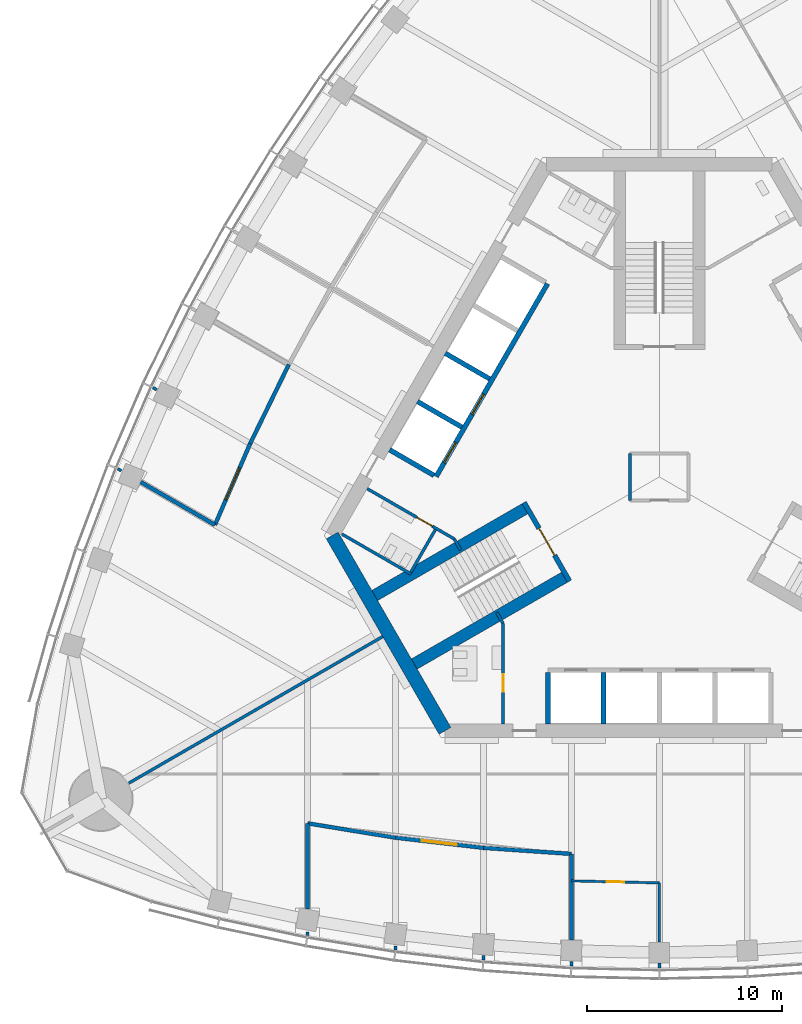
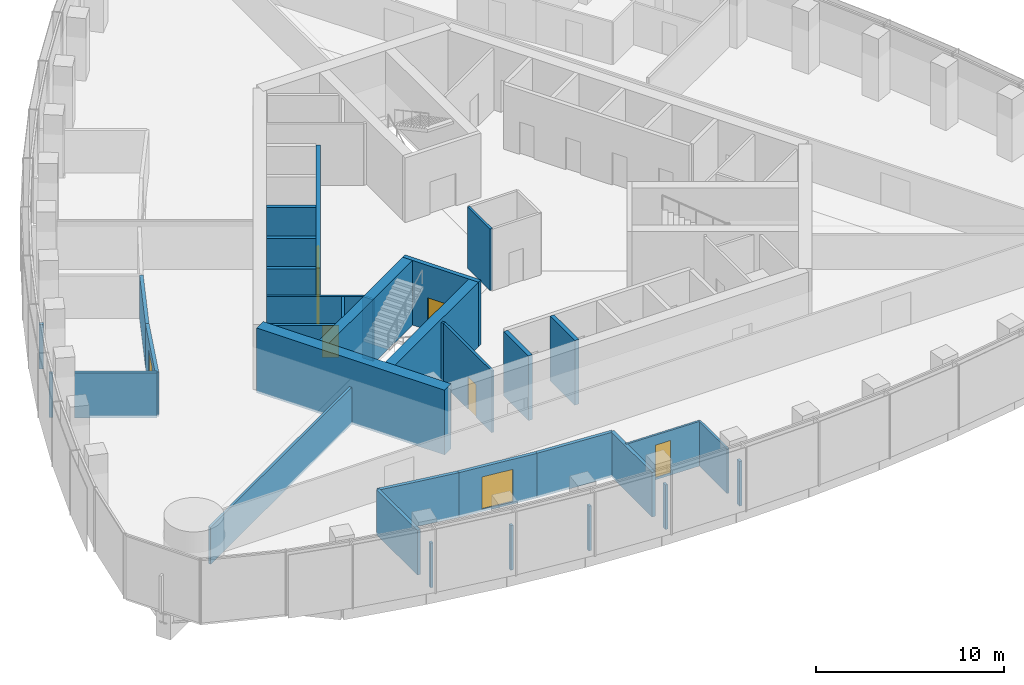
# One storey, part 11 of 19: 35 walls, 8 doors, 8 openings.
"""IFC4 building model written with IfcOpenShell, lengths in metres."""

from ifc_helpers import new_model, si_unit, direction, frame, frame_2d, origin, place, context, subcontext, project, spatial, rectangle, extrude, material, layer, layer_set, type_object, element, fill, save


model = new_model("IFC4")

# Units and contexts
model_context = context("Model", 3, precision=1e-05, world=origin(), true_north=direction((0.0, 1.0)))
body_context = subcontext(model_context, "Body", "Model", "MODEL_VIEW")
ifc_project = project(units=[si_unit("LENGTHUNIT", "METRE"), si_unit("AREAUNIT", "SQUARE_METRE"), si_unit("VOLUMEUNIT", "CUBIC_METRE"), si_unit("PLANEANGLEUNIT", "RADIAN"), si_unit("MASSUNIT", "GRAM", prefix="KILO")], contexts=[model_context])

# Site, building, storey
site_placement = place(None, origin())
site = spatial("IfcSite", under=ifc_project, at=site_placement, CompositionType="ELEMENT")
building_placement = place(site_placement, origin())
building = spatial("IfcBuilding", under=site, at=building_placement, Name="Trefoil Bronze Tower", CompositionType="ELEMENT")
storey_placement = place(building_placement, frame((0.0, 0.0, 227.5)))
storey = spatial("IfcBuildingStorey", under=building, at=storey_placement, Name="L52", CompositionType="ELEMENT", Elevation=227.5)

# Wall, opening, door
ifc_material_1 = material(Name="Gypsum board on steel studs", Category="steel")
ifc_layer_1 = layer(ifc_material_1, 0.199951171875)
ifc_layer_set_1 = layer_set([ifc_layer_1], Name="Acoustic partition 200")
wall_type_1 = type_object("IfcWallType", Name="Acoustic partition 200", PredefinedType="PARTITIONING", material=ifc_layer_set_1)
wall_1_placement = place(storey_placement, frame((-13.5, -18.466064453125, 0.0), z_axis=(0.0, 0.0, 1.0), x_axis=(0.993382946625, -0.114849124309, 0.0)))
wall_1 = element("IfcWall", 1, at=wall_1_placement, inside=storey, type_object=wall_type_1, Name="Partition F1 L52", PredefinedType="PARTITIONING", context=body_context, shape_type="SweptSolid", body=[
    extrude(rectangle(XDim=4.530029296875, YDim=0.199951171875, at=frame_2d((2.26513671875, 0.0))), origin(), (0.0, 0.0, 1.0), 2.89990234375),
])
opening_1_placement = place(wall_1_placement, frame((1.35009765625, 0.0, 0.14990234375)))
opening_1 = element("IfcOpeningElement", 2, at=opening_1_placement, cuts=wall_1, Name="Opening D10", PredefinedType="OPENING", context=body_context, shape_type="SweptSolid", body=[
    extrude(rectangle(XDim=1.800048828125, YDim=2.10009765625, at=frame_2d((0.89990234375, 1.050048828125))), frame((0.0, 0.10986328125, 0.0), z_axis=(0.0, -1.0, 0.0), x_axis=(1.0, 0.0, 0.0)), (0.0, 0.0, 1.0), 0.219970703125),
])
ifc_material_2 = material(Name="Timber door", Category="wood")
door_type_1 = type_object("IfcDoorType", Name="Double door 1800", OperationType="DOUBLE_DOOR_SINGLE_SWING", PredefinedType="DOOR", material=ifc_material_2)
door_1_placement = place(opening_1_placement, origin())
door_1 = element("IfcDoor", 3, at=door_1_placement, inside=storey, type_object=door_type_1, Name="Training room door F1 L52", OperationType="DOUBLE_DOOR_SINGLE_SWING", OverallHeight=2.10009765625, OverallWidth=1.800048828125, PredefinedType="DOOR", context=body_context, shape_type="SweptSolid", body=[
    extrude(rectangle(XDim=1.800048828125, YDim=2.10009765625, at=frame_2d((0.89990234375, 1.050048828125))), frame((0.0, 0.02490234375, 0.0), z_axis=(0.0, -1.0, 0.0), x_axis=(1.0, 0.0, 0.0)), (0.0, 0.0, 1.0), 0.050048828125),
])
fill(opening_1, door_1)

# Walls
wall_2_placement = place(storey_placement, frame((-18.0, -17.73291015625, 0.0), z_axis=(0.0, 0.0, 1.0), x_axis=(0.986986525477, -0.160802980469, 0.0)))
element("IfcWall", 4, at=wall_2_placement, inside=storey, type_object=wall_type_1, Name="Partition F1 L52", PredefinedType="PARTITIONING", context=body_context, shape_type="SweptSolid", body=[
    extrude(rectangle(XDim=4.559326171875, YDim=0.199951171875, at=frame_2d((2.27978515625, 0.0))), origin(), (0.0, 0.0, 1.0), 2.89990234375),
])
wall_3_placement = place(storey_placement, frame((-9.0, -18.986328125, 0.0), z_axis=(0.0, 0.0, 1.0), x_axis=(0.997623533978, -0.068900540297, 0.0)))
element("IfcWall", 5, at=wall_3_placement, inside=storey, type_object=wall_type_1, Name="Partition F1 L52", PredefinedType="PARTITIONING", context=body_context, shape_type="SweptSolid", body=[
    extrude(rectangle(XDim=4.5107421875, YDim=0.199951171875, at=frame_2d((2.25537109375, 0.0))), origin(), (0.0, 0.0, 1.0), 2.89990234375),
])
wall_4_placement = place(storey_placement, frame((-18.0, -17.73291015625, 0.0), z_axis=(0.0, 0.0, 1.0), x_axis=(0.0, -1.0, 0.0)))
element("IfcWall", 6, at=wall_4_placement, inside=storey, type_object=wall_type_1, Name="Partition F1 L52", PredefinedType="PARTITIONING", context=body_context, shape_type="SweptSolid", body=[
    extrude(rectangle(XDim=4.37158203125, YDim=0.199951171875, at=frame_2d((2.185791015625, 0.0))), origin(), (0.0, 0.0, 1.0), 2.89990234375),
])
wall_5_placement = place(storey_placement, frame((-4.5, -19.297119140625, 0.0), z_axis=(0.0, 0.0, 1.0), x_axis=(0.0, -1.0, 0.0)))
element("IfcWall", 7, at=wall_5_placement, inside=storey, type_object=wall_type_1, Name="Partition F1 L52", PredefinedType="PARTITIONING", context=body_context, shape_type="SweptSolid", body=[
    extrude(rectangle(XDim=4.393798828125, YDim=0.199951171875, at=frame_2d((2.19677734375, 0.0))), origin(), (0.0, 0.0, 1.0), 2.89990234375),
])
wall_6_placement = place(storey_placement, frame((-18.9619140625, 5.75146484375, 0.0), z_axis=(0.0, 0.0, 1.0), x_axis=(-0.43911984878, -0.898428493764, 0.0)))
element("IfcWall", 8, at=wall_6_placement, inside=storey, type_object=wall_type_1, Name="Partition F3 L52", PredefinedType="PARTITIONING", context=body_context, shape_type="SweptSolid", body=[
    extrude(rectangle(XDim=4.5107421875, YDim=0.199951171875, at=frame_2d((2.25537109375, 0.0))), origin(), (0.0, 0.0, 1.0), 2.89990234375),
])

# Wall, opening, door
wall_7_placement = place(storey_placement, frame((-20.942626953125, 1.698974609375, 0.0), z_axis=(0.0, 0.0, 1.0), x_axis=(-0.397253491631, -0.917708920839, 0.0)))
wall_7 = element("IfcWall", 9, at=wall_7_placement, inside=storey, type_object=wall_type_1, Name="Partition F3 L52", PredefinedType="PARTITIONING", context=body_context, shape_type="SweptSolid", body=[
    extrude(rectangle(XDim=4.530029296875, YDim=0.199951171875, at=frame_2d((2.26513671875, 0.0))), origin(), (0.0, 0.0, 1.0), 2.89990234375),
])
opening_2_placement = place(wall_7_placement, frame((1.35009765625, 0.0, 0.14990234375)))
opening_2 = element("IfcOpeningElement", 10, at=opening_2_placement, cuts=wall_7, Name="Opening D10", PredefinedType="OPENING", context=body_context, shape_type="SweptSolid", body=[
    extrude(rectangle(XDim=1.800048828125, YDim=2.10009765625, at=frame_2d((0.89990234375, 1.050048828125))), frame((0.0, 0.10986328125, 0.0), z_axis=(0.0, -1.0, 0.0), x_axis=(1.0, 0.0, 0.0)), (0.0, 0.0, 1.0), 0.219970703125),
])
door_2_placement = place(opening_2_placement, frame((1.800048828125, 0.0, 0.0), z_axis=(0.0, 0.0, 1.0), x_axis=(-1.0, 0.0, 0.0)))
door_2 = element("IfcDoor", 11, at=door_2_placement, inside=storey, type_object=door_type_1, Name="Training room door F3 L52", OperationType="DOUBLE_DOOR_SINGLE_SWING", OverallHeight=2.10009765625, OverallWidth=1.800048828125, PredefinedType="DOOR", context=body_context, shape_type="SweptSolid", body=[
    extrude(rectangle(XDim=1.800048828125, YDim=2.10009765625, at=frame_2d((0.89990234375, 1.050048828125))), frame((0.0, 0.02490234375, 0.0), z_axis=(0.0, -1.0, 0.0), x_axis=(1.0, 0.0, 0.0)), (0.0, 0.0, 1.0), 0.050048828125),
])
fill(opening_2, door_2)

# Walls
wall_8_placement = place(storey_placement, frame((-22.7421875, -2.458251953125, 0.0), z_axis=(0.0, 0.0, 1.0), x_axis=(-0.866033427365, 0.499986102494, 0.0)))
element("IfcWall", 12, at=wall_8_placement, inside=storey, type_object=wall_type_1, Name="Partition F3 L52", PredefinedType="PARTITIONING", context=body_context, shape_type="SweptSolid", body=[
    extrude(rectangle(XDim=4.3818359375, YDim=0.199951171875, at=frame_2d((2.19091796875, 0.0))), origin(), (0.0, 0.0, 1.0), 2.89990234375),
])
ifc_material_3 = material(Name="Concrete B80", Category="concrete")
ifc_layer_2 = layer(ifc_material_3, 0.699951171875)
ifc_layer_set_2 = layer_set([ifc_layer_2], Name="Core wall 700")
wall_type_2 = type_object("IfcWallType", Name="Core wall 700", PredefinedType="SHEAR", material=ifc_layer_set_2)
wall_9_placement = place(storey_placement, frame((-16.7431640625, -3.0, 0.0), z_axis=(0.0, 0.0, 1.0), x_axis=(0.499995765644, -0.866027848477, 0.0)))
element("IfcWall", 13, at=wall_9_placement, inside=storey, type_object=wall_type_2, Name="Core short wall 3 L52", PredefinedType="SHEAR", context=body_context, shape_type="SweptSolid", body=[
    extrude(rectangle(XDim=11.546875, YDim=0.699951171875, at=frame_2d((5.7734375, 0.0))), origin(), (0.0, 0.0, 1.0), 4.199951171875),
])

# Wall, opening, door
ifc_material_4 = material(Name="Glazed partition", Category="glass")
ifc_layer_3 = layer(ifc_material_4, 0.1201171875)
ifc_layer_set_3 = layer_set([ifc_layer_3], Name="Glazed partition 120")
wall_type_3 = type_object("IfcWallType", Name="Glazed partition 120", PredefinedType="PARTITIONING", material=ifc_layer_set_3)
wall_10_placement = place(storey_placement, frame((-4.5, -20.67724609375, 0.0), z_axis=(0.0, 0.0, 1.0), x_axis=(0.99973677065, -0.022943177842, 0.0)))
wall_10 = element("IfcWall", 14, at=wall_10_placement, inside=storey, type_object=wall_type_3, Name="Partition F1 L52", PredefinedType="PARTITIONING", context=body_context, shape_type="SweptSolid", body=[
    extrude(rectangle(XDim=4.501220703125, YDim=0.1201171875, at=frame_2d((2.25048828125, 0.0))), origin(), (0.0, 0.0, 1.0), 2.89990234375),
])
opening_3_placement = place(wall_10_placement, frame((1.800048828125, 0.0, 0.14990234375)))
opening_3 = element("IfcOpeningElement", 15, at=opening_3_placement, cuts=wall_10, Name="Opening D8", PredefinedType="OPENING", context=body_context, shape_type="SweptSolid", body=[
    extrude(rectangle(XDim=0.89990234375, YDim=2.10009765625, at=frame_2d((0.449951171875, 1.050048828125))), frame((0.0, 0.070068359375, 0.0), z_axis=(0.0, -1.0, 0.0), x_axis=(1.0, 0.0, 0.0)), (0.0, 0.0, 1.0), 0.14013671875),
])
ifc_material_5 = material(Name="Timber door", Category="wood")
door_type_2 = type_object("IfcDoorType", Name="Office door 900", OperationType="SINGLE_SWING_LEFT", PredefinedType="DOOR", material=ifc_material_5)
door_3_placement = place(opening_3_placement, frame((0.89990234375, 0.0, 0.0), z_axis=(0.0, 0.0, 1.0), x_axis=(-1.0, 0.0, 0.0)))
door_3 = element("IfcDoor", 16, at=door_3_placement, inside=storey, type_object=door_type_2, Name="Pantry door F1 L52", OperationType="SINGLE_SWING_RIGHT", OverallHeight=2.10009765625, OverallWidth=0.89990234375, PredefinedType="DOOR", context=body_context, shape_type="SweptSolid", body=[
    extrude(rectangle(XDim=0.89990234375, YDim=2.10009765625, at=frame_2d((0.449951171875, 1.050048828125))), frame((0.0, 0.02490234375, 0.0), z_axis=(0.0, -1.0, 0.0), x_axis=(1.0, 0.0, 0.0)), (0.0, 0.0, 1.0), 0.050048828125),
])
fill(opening_3, door_3)

# Wall
wall_11_placement = place(storey_placement, frame((0.0, -20.780517578125, 0.0), z_axis=(0.0, 0.0, 1.0), x_axis=(0.0, -1.0, 0.0)))
element("IfcWall", 17, at=wall_11_placement, inside=storey, type_object=wall_type_3, Name="Partition F1 L52", PredefinedType="PARTITIONING", context=body_context, shape_type="SweptSolid", body=[
    extrude(rectangle(XDim=3.01513671875, YDim=0.1201171875, at=frame_2d((1.507568359375, 0.0))), origin(), (0.0, 0.0, 1.0), 2.89990234375),
])

# Wall, opening, door
ifc_material_6 = material(Name="Gypsum board on steel studs", Category="steel")
ifc_layer_4 = layer(ifc_material_6, 0.14990234375)
ifc_layer_set_4 = layer_set([ifc_layer_4], Name="Partition 150")
wall_type_4 = type_object("IfcWallType", Name="Partition 150", PredefinedType="PARTITIONING", material=ifc_layer_set_4)
wall_12_placement = place(storey_placement, frame((-8.0, -7.5, 0.0), z_axis=(0.0, 0.0, 1.0), x_axis=(0.0, -1.0, 0.0)))
wall_12 = element("IfcWall", 18, at=wall_12_placement, inside=storey, type_object=wall_type_4, Name="Passage wall F1- L52", PredefinedType="PARTITIONING", context=body_context, shape_type="SweptSolid", body=[
    extrude(rectangle(XDim=5.14990234375, YDim=0.14990234375, at=frame_2d((2.574951171875, 0.0))), origin(), (0.0, 0.0, 1.0), 4.0),
])
opening_4_placement = place(wall_12_placement, frame((2.60009765625, 0.0, 0.0)))
opening_4 = element("IfcOpeningElement", 19, at=opening_4_placement, cuts=wall_12, Name="Opening D3", PredefinedType="OPENING", context=body_context, shape_type="SweptSolid", body=[
    extrude(rectangle(XDim=0.89990234375, YDim=2.10009765625, at=frame_2d((0.449951171875, 1.050048828125))), frame((0.0, 0.0849609375, 0.0), z_axis=(0.0, -1.0, 0.0), x_axis=(1.0, 0.0, 0.0)), (0.0, 0.0, 1.0), 0.169921875),
])
ifc_material_7 = material(Name="Timber door", Category="wood")
door_type_3 = type_object("IfcDoorType", Name="WC door 900", OperationType="SINGLE_SWING_LEFT", PredefinedType="DOOR", material=ifc_material_7)
door_4_placement = place(opening_4_placement, frame((0.89990234375, 0.0, 0.0), z_axis=(0.0, 0.0, 1.0), x_axis=(-1.0, 0.0, 0.0)))
door_4 = element("IfcDoor", 20, at=door_4_placement, inside=storey, type_object=door_type_3, Name="WC (women) door L52", OperationType="SINGLE_SWING_LEFT", OverallHeight=2.10009765625, OverallWidth=0.89990234375, PredefinedType="DOOR", context=body_context, shape_type="SweptSolid", body=[
    extrude(rectangle(XDim=0.89990234375, YDim=2.10009765625, at=frame_2d((0.449951171875, 1.050048828125))), frame((0.0, 0.02490234375, 0.0), z_axis=(0.0, -1.0, 0.0), x_axis=(1.0, 0.0, 0.0)), (0.0, 0.0, 1.0), 0.050048828125),
])
fill(opening_4, door_4)

wall_13_placement = place(storey_placement, frame((-10.4951171875, -3.17822265625, 0.0), z_axis=(0.0, 0.0, 1.0), x_axis=(-0.866037967349, 0.499978238636, 0.0)))
wall_13 = element("IfcWall", 21, at=wall_13_placement, inside=storey, type_object=wall_type_4, Name="Passage wall F3+ L52", PredefinedType="PARTITIONING", context=body_context, shape_type="SweptSolid", body=[
    extrude(rectangle(XDim=5.150146484375, YDim=0.14990234375, at=frame_2d((2.5751953125, 0.0))), origin(), (0.0, 0.0, 1.0), 4.0),
])
opening_5_placement = place(wall_13_placement, frame((1.300048828125, 0.0, 0.0)))
opening_5 = element("IfcOpeningElement", 22, at=opening_5_placement, cuts=wall_13, Name="Opening D3", PredefinedType="OPENING", context=body_context, shape_type="SweptSolid", body=[
    extrude(rectangle(XDim=0.89990234375, YDim=2.10009765625, at=frame_2d((0.449951171875, 1.050048828125))), frame((0.0, 0.0849609375, 0.0), z_axis=(0.0, -1.0, 0.0), x_axis=(1.0, 0.0, 0.0)), (0.0, 0.0, 1.0), 0.169921875),
])
door_5_placement = place(opening_5_placement, origin())
door_5 = element("IfcDoor", 23, at=door_5_placement, inside=storey, type_object=door_type_3, Name="WC (men) door L52", OperationType="SINGLE_SWING_LEFT", OverallHeight=2.10009765625, OverallWidth=0.89990234375, PredefinedType="DOOR", context=body_context, shape_type="SweptSolid", body=[
    extrude(rectangle(XDim=0.89990234375, YDim=2.10009765625, at=frame_2d((0.449951171875, 1.050048828125))), frame((0.0, 0.02490234375, 0.0), z_axis=(0.0, -1.0, 0.0), x_axis=(1.0, 0.0, 0.0)), (0.0, 0.0, 1.0), 0.050048828125),
])
fill(opening_5, door_5)

# Walls
for number, where, z_axis, x_axis, name in (
    (24, (-10.4951171875, -3.17822265625, 0.0), (0.0, 0.0, 1.0), (0.499842556608, -0.866116284689, 0.0), "WC wall ST3-1 L52"),
    (25, (-8.0, -7.5, 0.0), (0.0, 0.0, 1.0), (-0.499842556608, 0.866116284689, 0.0), "WC wall ST3+1 L52"),
):
    element("IfcWall", number, at=place(storey_placement, frame(where, z_axis=z_axis, x_axis=x_axis)), inside=storey, type_object=wall_type_4, Name=name, PredefinedType="PARTITIONING", context=body_context, shape_type="SweptSolid", body=[
        extrude(rectangle(XDim=0.645263671875, YDim=0.14990234375, at=frame_2d((0.32275390625, 0.0))), origin(), (0.0, 0.0, 1.0), 4.0),
    ])
wall_14_placement = place(storey_placement, frame((-12.691162109375, -4.98193359375, 0.0), z_axis=(0.0, 0.0, 1.0), x_axis=(-0.8660249478, 0.500000789788, 0.0)))
element("IfcWall", 26, at=wall_14_placement, inside=storey, type_object=wall_type_4, Name="WC partition WC (men) L52", PredefinedType="PARTITIONING", context=body_context, shape_type="SweptSolid", body=[
    extrude(rectangle(XDim=4.10009765625, YDim=0.14990234375, at=frame_2d((2.050048828125, 0.0))), origin(), (0.0, 0.0, 1.0), 4.0),
])
wall_15_placement = place(storey_placement, frame((-11.463623046875, -2.70556640625, 0.0), z_axis=(0.0, 0.0, 1.0), x_axis=(-0.50001992892, -0.866013897511, 0.0)))
element("IfcWall", 27, at=wall_15_placement, inside=storey, type_object=wall_type_4, Name="WC partition WC (men) L52", PredefinedType="PARTITIONING", context=body_context, shape_type="SweptSolid", body=[
    extrude(rectangle(XDim=2.51025390625, YDim=0.14990234375, at=frame_2d((1.255126953125, 0.0))), origin(), (0.0, 0.0, 1.0), 4.0),
])
wall_16_placement = place(storey_placement, frame((0.0, -24.879638671875, 0.0), z_axis=(0.0, 0.0, 1.0), x_axis=(0.0, -1.0, 0.0)))
element("IfcWall", 28, at=wall_16_placement, inside=storey, type_object=wall_type_4, Name="Partition F1 L52", PredefinedType="PARTITIONING", context=body_context, shape_type="SweptSolid", body=[
    extrude(rectangle(XDim=0.26611328125, YDim=0.14990234375, at=frame_2d((0.133056640625, 0.0))), origin(), (0.0, 0.0, 1.0), 2.89990234375),
])
wall_17_placement = place(storey_placement, frame((-13.5, -24.0048828125, 0.0), z_axis=(0.0, 0.0, 1.0), x_axis=(0.0, -1.0, 0.0)))
element("IfcWall", 29, at=wall_17_placement, inside=storey, type_object=wall_type_4, Name="Partition F1 L52", PredefinedType="PARTITIONING", context=body_context, shape_type="SweptSolid", body=[
    extrude(rectangle(XDim=0.206298828125, YDim=0.14990234375, at=frame_2d((0.10302734375, 0.0))), origin(), (0.0, 0.0, 1.0), 2.89990234375),
])
wall_18_placement = place(storey_placement, frame((-18.0, -23.285888671875, 0.0), z_axis=(0.0, 0.0, 1.0), x_axis=(0.0, -1.0, 0.0)))
element("IfcWall", 30, at=wall_18_placement, inside=storey, type_object=wall_type_4, Name="Partition F1 L52", PredefinedType="PARTITIONING", context=body_context, shape_type="SweptSolid", body=[
    extrude(rectangle(XDim=0.192138671875, YDim=0.14990234375, at=frame_2d((0.09619140625, 0.0))), origin(), (0.0, 0.0, 1.0), 2.89990234375),
])
wall_19_placement = place(storey_placement, frame((-4.5, -24.799072265625, 0.0), z_axis=(0.0, 0.0, 1.0), x_axis=(0.0, -1.0, 0.0)))
element("IfcWall", 31, at=wall_19_placement, inside=storey, type_object=wall_type_4, Name="Partition F1 L52", PredefinedType="PARTITIONING", context=body_context, shape_type="SweptSolid", body=[
    extrude(rectangle(XDim=0.2431640625, YDim=0.14990234375, at=frame_2d((0.12158203125, 0.0))), origin(), (0.0, 0.0, 1.0), 2.89990234375),
])
wall_20_placement = place(storey_placement, frame((-9.0, -24.508056640625, 0.0), z_axis=(0.0, 0.0, 1.0), x_axis=(0.0, -1.0, 0.0)))
element("IfcWall", 32, at=wall_20_placement, inside=storey, type_object=wall_type_4, Name="Partition F1 L52", PredefinedType="PARTITIONING", context=body_context, shape_type="SweptSolid", body=[
    extrude(rectangle(XDim=0.223388671875, YDim=0.14990234375, at=frame_2d((0.11181640625, 0.0))), origin(), (0.0, 0.0, 1.0), 2.89990234375),
])
wall_21_placement = place(storey_placement, frame((-27.538818359375, 0.31103515625, 0.0), z_axis=(0.0, 0.0, 1.0), x_axis=(-0.865534352121, 0.500849563539, 0.0)))
element("IfcWall", 33, at=wall_21_placement, inside=storey, type_object=wall_type_4, Name="Partition F3 L52", PredefinedType="PARTITIONING", context=body_context, shape_type="SweptSolid", body=[
    extrude(rectangle(XDim=0.206298828125, YDim=0.14990234375, at=frame_2d((0.10302734375, 0.0))), origin(), (0.0, 0.0, 1.0), 2.89990234375),
])
wall_22_placement = place(storey_placement, frame((-25.724609375, 4.459716796875, 0.0), z_axis=(0.0, 0.0, 1.0), x_axis=(-0.865675623716, 0.500605348058, 0.0)))
element("IfcWall", 34, at=wall_22_placement, inside=storey, type_object=wall_type_4, Name="Partition F3 L52", PredefinedType="PARTITIONING", context=body_context, shape_type="SweptSolid", body=[
    extrude(rectangle(XDim=0.223388671875, YDim=0.14990234375, at=frame_2d((0.11181640625, 0.0))), origin(), (0.0, 0.0, 1.0), 2.89990234375),
])
ifc_material_8 = material(Name="Gypsum board on steel studs", Category="steel")
ifc_layer_5 = layer(ifc_material_8, 0.14990234375)
ifc_layer_set_5 = layer_set([ifc_layer_5], Name="Party wall 150")
wall_type_5 = type_object("IfcWallType", Name="Party wall 150", PredefinedType="PARTITIONING", material=ifc_layer_set_5)
wall_23_placement = place(storey_placement, frame((-14.159423828125, -8.175048828125, 0.0), z_axis=(0.0, 0.0, 1.0), x_axis=(-0.866027028085, -0.499997186618, 0.0)))
element("IfcWall", 35, at=wall_23_placement, inside=storey, type_object=wall_type_5, Name="Party wall K3 L52", PredefinedType="PARTITIONING", context=body_context, shape_type="SweptSolid", body=[
    extrude(rectangle(XDim=15.0, YDim=0.14990234375, at=frame_2d((7.5, 0.0))), origin(), (0.0, 0.0, 1.0), 2.39990234375),
])
ifc_material_9 = material(Name="Gypsum board on steel studs", Category="steel")
ifc_layer_6 = layer(ifc_material_9, 0.14990234375)
ifc_layer_set_6 = layer_set([ifc_layer_6], Name="Riser wall 150")
wall_type_6 = type_object("IfcWallType", Name="Riser wall 150", PredefinedType="PARTITIONING", material=ifc_layer_set_6)
wall_24_placement = place(storey_placement, frame((-1.5, 1.199951171875, 0.0), z_axis=(0.0, 0.0, 1.0), x_axis=(0.0, -1.0, 0.0)))
element("IfcWall", 36, at=wall_24_placement, inside=storey, type_object=wall_type_6, Name="Riser wall L52", PredefinedType="PARTITIONING", context=body_context, shape_type="SweptSolid", body=[
    extrude(rectangle(XDim=2.39990234375, YDim=0.14990234375, at=frame_2d((1.199951171875, 0.0))), origin(), (0.0, 0.0, 1.0), 4.0),
])
ifc_material_10 = material(Name="Concrete B80", Category="concrete")
ifc_layer_7 = layer(ifc_material_10, 0.25)
ifc_layer_set_7 = layer_set([ifc_layer_7], Name="Shaft wall 250")
wall_type_7 = type_object("IfcWallType", Name="Shaft wall 250", PredefinedType="SHEAR", material=ifc_layer_set_7)
for number, where, z_axis, x_axis, name in (
    (37, (-5.699951171875, -10.02490234375, 0.0), (0.0, 0.0, 1.0), (0.0, -1.0, 0.0), "Lift shaft side wall A0 L52"),
    (38, (-2.85009765625, -10.02490234375, 0.0), (0.0, 0.0, 1.0), (0.0, -1.0, 0.0), "Lift shaft side wall A1 L52"),
):
    element("IfcWall", number, at=place(storey_placement, frame(where, z_axis=z_axis, x_axis=x_axis)), inside=storey, type_object=wall_type_7, Name=name, PredefinedType="SHEAR", context=body_context, shape_type="SweptSolid", body=[
        extrude(rectangle(XDim=2.625, YDim=0.25, at=frame_2d((1.3125, 0.0))), origin(), (0.0, 0.0, 1.0), 4.199951171875),
    ])

# Wall, openings, doors
wall_25_placement = place(storey_placement, frame((-5.7236328125, 9.88623046875, 0.0), z_axis=(0.0, 0.0, 1.0), x_axis=(-0.500001763848, -0.866024385424, 0.0)))
wall_25 = element("IfcWall", 39, at=wall_25_placement, inside=storey, type_object=wall_type_7, Name="Lift shaft front wall C L52", PredefinedType="SHEAR", context=body_context, shape_type="SweptSolid", body=[
    extrude(rectangle(XDim=11.39990234375, YDim=0.25, at=frame_2d((5.699951171875, 0.0))), origin(), (0.0, 0.0, 1.0), 4.199951171875),
])
opening_6_placement = place(wall_25_placement, frame((6.52490234375, 0.0, 0.0)))
opening_6 = element("IfcOpeningElement", 40, at=opening_6_placement, cuts=wall_25, Name="Opening LD-FL1", PredefinedType="OPENING", context=body_context, shape_type="SweptSolid", body=[
    extrude(rectangle(XDim=1.199951171875, YDim=2.199951171875, at=frame_2d((0.60009765625, 1.10009765625))), frame((0.0, 0.135009765625, 0.0), z_axis=(0.0, -1.0, 0.0), x_axis=(1.0, 0.0, 0.0)), (0.0, 0.0, 1.0), 0.27001953125),
])
opening_7_placement = place(wall_25_placement, frame((9.375, 0.0, 0.0)))
opening_7 = element("IfcOpeningElement", 41, at=opening_7_placement, cuts=wall_25, Name="Opening LD-FL2", PredefinedType="OPENING", context=body_context, shape_type="SweptSolid", body=[
    extrude(rectangle(XDim=1.199951171875, YDim=2.199951171875, at=frame_2d((0.60009765625, 1.10009765625))), frame((0.0, 0.135009765625, 0.0), z_axis=(0.0, -1.0, 0.0), x_axis=(1.0, 0.0, 0.0)), (0.0, 0.0, 1.0), 0.27001953125),
])
ifc_material_11 = material(Name="Steel door", Category="steel")
door_type_4 = type_object("IfcDoorType", Name="Lift landing door 1200", OperationType="DOUBLE_DOOR_SLIDING", PredefinedType="DOOR", material=ifc_material_11)
door_6_placement = place(opening_6_placement, origin())
door_6 = element("IfcDoor", 42, at=door_6_placement, inside=storey, type_object=door_type_4, Name="Lift FL1 landing door L52", OperationType="DOUBLE_DOOR_SLIDING", OverallHeight=2.199951171875, OverallWidth=1.199951171875, PredefinedType="DOOR", context=body_context, shape_type="SweptSolid", body=[
    extrude(rectangle(XDim=1.199951171875, YDim=2.199951171875, at=frame_2d((0.60009765625, 1.10009765625))), frame((0.0, 0.02490234375, 0.0), z_axis=(0.0, -1.0, 0.0), x_axis=(1.0, 0.0, 0.0)), (0.0, 0.0, 1.0), 0.050048828125),
])
fill(opening_6, door_6)
door_7_placement = place(opening_7_placement, origin())
door_7 = element("IfcDoor", 43, at=door_7_placement, inside=storey, type_object=door_type_4, Name="Lift FL2 landing door L52", OperationType="DOUBLE_DOOR_SLIDING", OverallHeight=2.199951171875, OverallWidth=1.199951171875, PredefinedType="DOOR", context=body_context, shape_type="SweptSolid", body=[
    extrude(rectangle(XDim=1.199951171875, YDim=2.199951171875, at=frame_2d((0.60009765625, 1.10009765625))), frame((0.0, 0.02490234375, 0.0), z_axis=(0.0, -1.0, 0.0), x_axis=(1.0, 0.0, 0.0)), (0.0, 0.0, 1.0), 0.050048828125),
])
fill(opening_7, door_7)

# Walls
for number, where, z_axis, x_axis, name in (
    (44, (-8.681884765625, 5.012451171875, 0.0), (0.0, 0.0, 1.0), (-0.866036909293, 0.499980071345, 0.0), "Lift shaft side wall C2 L52"),
    (45, (-10.10693359375, 2.54443359375, 0.0), (0.0, 0.0, 1.0), (-0.866013657776, 0.500020344131, 0.0), "Lift shaft side wall C3 L52"),
    (46, (-11.531982421875, 0.076171875, 0.0), (0.0, 0.0, 1.0), (-0.866013657776, 0.500020344131, 0.0), "Lift shaft side wall C4 L52"),
):
    element("IfcWall", number, at=place(storey_placement, frame(where, z_axis=z_axis, x_axis=x_axis)), inside=storey, type_object=wall_type_7, Name=name, PredefinedType="SHEAR", context=body_context, shape_type="SweptSolid", body=[
        extrude(rectangle(XDim=2.625, YDim=0.25, at=frame_2d((1.3125, 0.0))), origin(), (0.0, 0.0, 1.0), 4.199951171875),
    ])

# Wall, opening, door
wall_26_placement = place(storey_placement, frame((-6.921630859375, -1.3115234375, 0.0), z_axis=(0.0, 0.0, 1.0), x_axis=(0.499984536904, -0.866034331223, 0.0)))
wall_26 = element("IfcWall", 47, at=wall_26_placement, inside=storey, type_object=wall_type_7, Name="Stair end wall ST3 L52", PredefinedType="SHEAR", context=body_context, shape_type="SweptSolid", body=[
    extrude(rectangle(XDim=4.650146484375, YDim=0.25, at=frame_2d((2.3251953125, 0.0))), origin(), (0.0, 0.0, 1.0), 4.199951171875),
])
opening_8_placement = place(wall_26_placement, frame((1.52490234375, 0.0, 0.0)))
opening_8 = element("IfcOpeningElement", 48, at=opening_8_placement, cuts=wall_26, Name="Opening D1", PredefinedType="OPENING", context=body_context, shape_type="SweptSolid", body=[
    extrude(rectangle(XDim=1.60009765625, YDim=2.10009765625, at=frame_2d((0.800048828125, 1.050048828125))), frame((0.0, 0.135009765625, 0.0), z_axis=(0.0, -1.0, 0.0), x_axis=(1.0, 0.0, 0.0)), (0.0, 0.0, 1.0), 0.27001953125),
])
ifc_material_12 = material(Name="Steel door", Category="steel")
door_type_5 = type_object("IfcDoorType", Name="Stair door 1600", OperationType="DOUBLE_DOOR_SINGLE_SWING", PredefinedType="DOOR", material=ifc_material_12)
door_8_placement = place(opening_8_placement, frame((1.60009765625, 0.0, 0.0), z_axis=(0.0, 0.0, 1.0), x_axis=(-1.0, 0.0, 0.0)))
door_8 = element("IfcDoor", 49, at=door_8_placement, inside=storey, type_object=door_type_5, Name="Stair door ST3 L52", OperationType="DOUBLE_DOOR_SINGLE_SWING", OverallHeight=2.10009765625, OverallWidth=1.60009765625, PredefinedType="DOOR", context=body_context, shape_type="SweptSolid", body=[
    extrude(rectangle(XDim=1.60009765625, YDim=2.10009765625, at=frame_2d((0.800048828125, 1.050048828125))), frame((0.0, 0.02490234375, 0.0), z_axis=(0.0, -1.0, 0.0), x_axis=(1.0, 0.0, 0.0)), (0.0, 0.0, 1.0), 0.050048828125),
])
fill(opening_8, door_8)

# Walls
ifc_material_13 = material(Name="Concrete B80", Category="concrete")
ifc_layer_8 = layer(ifc_material_13, 0.60009765625)
ifc_layer_set_8 = layer_set([ifc_layer_8], Name="Stair wall 600")
wall_type_8 = type_object("IfcWallType", Name="Stair wall 600", PredefinedType="SHEAR", material=ifc_layer_set_8)
for number, where, z_axis, x_axis, name in (
    (50, (-6.663330078125, -1.5087890625, 0.0), (0.0, 0.0, 1.0), (-0.866028310072, -0.499994966129, 0.0), "Stair wall ST3 L52"),
    (51, (-4.638427734375, -5.01611328125, 0.0), (0.0, 0.0, 1.0), (-0.866021621257, -0.500006551472, 0.0), "Stair wall ST3 L52"),
):
    element("IfcWall", number, at=place(storey_placement, frame(where, z_axis=z_axis, x_axis=x_axis)), inside=storey, type_object=wall_type_8, Name=name, PredefinedType="SHEAR", context=body_context, shape_type="SweptSolid", body=[
        extrude(rectangle(XDim=9.125, YDim=0.60009765625, at=frame_2d((4.5625, 0.0))), origin(), (0.0, 0.0, 1.0), 4.199951171875),
    ])

save(model, "model.ifc")
